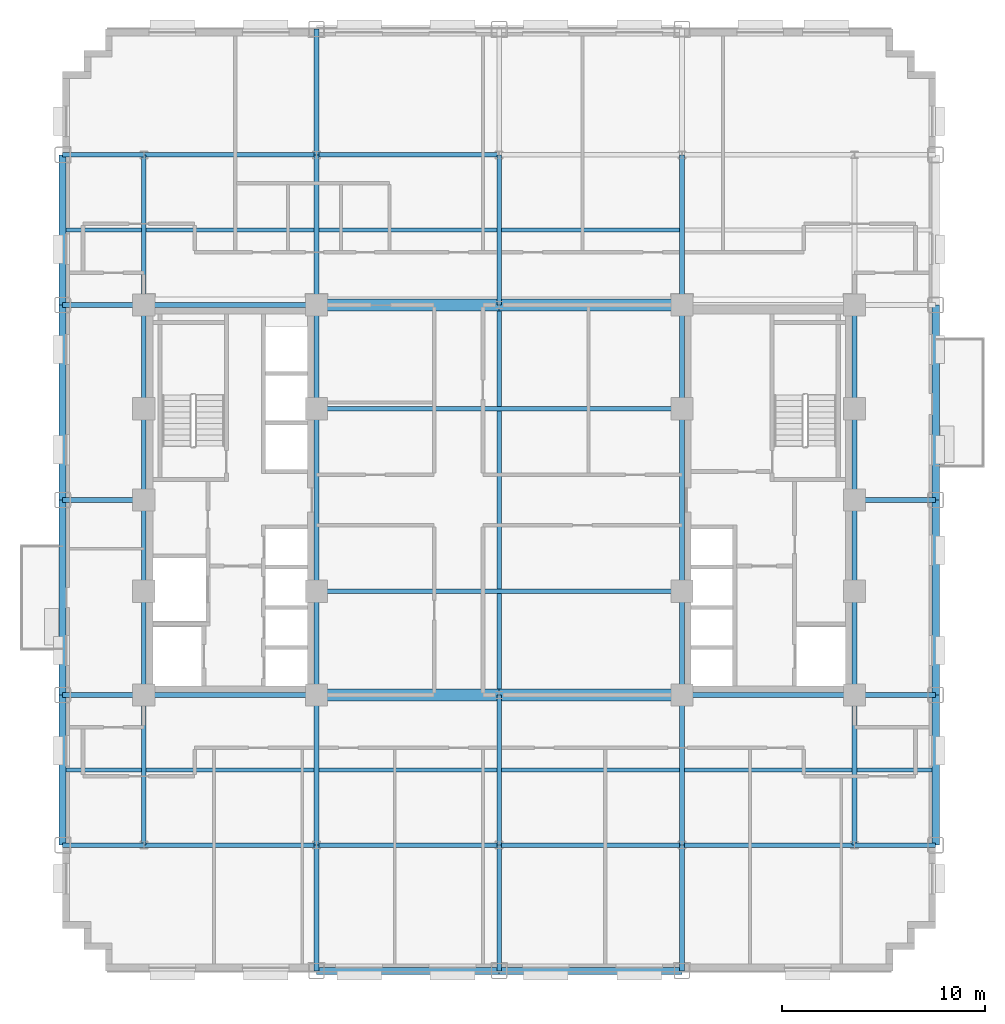
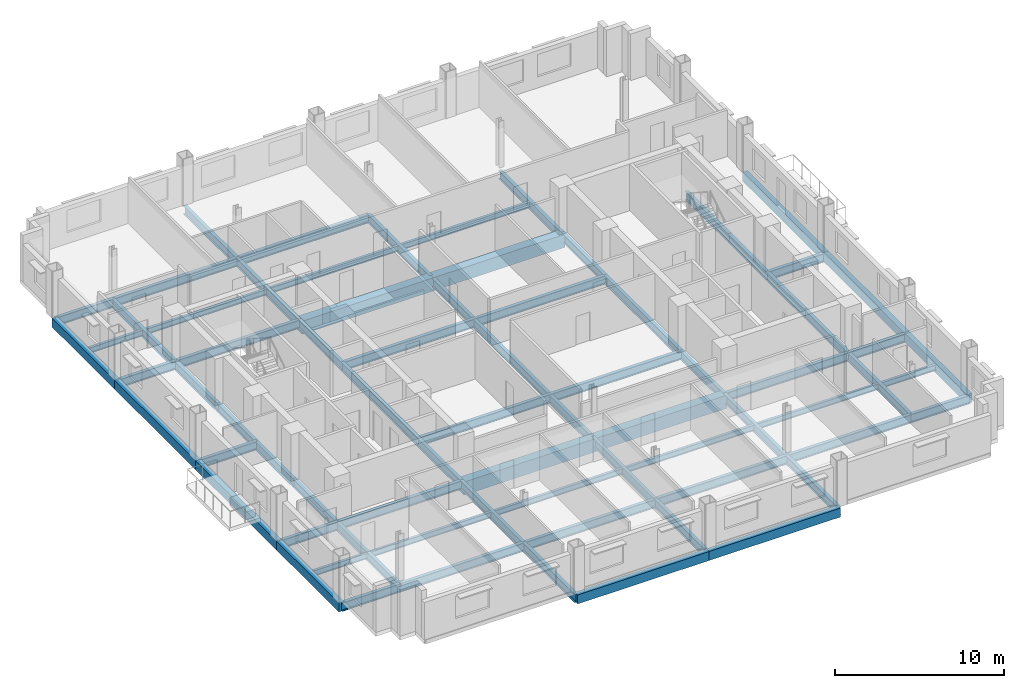
# One storey, part 4 of 14: 70 beams.
"""IFC4 building model written with IfcOpenShell, lengths in metres."""

from ifc_helpers import new_model, si_unit, direction, frame, origin, origin_2d, place, context, subcontext, project, spatial, rectangle, i_section, extrude, material, material_profile, profile_set, type_object, element, save


model = new_model("IFC4")

# Units and contexts
model_context = context("Model", 3, precision=1e-05, world=origin(), true_north=direction((0.0, 1.0)))
body_context = subcontext(model_context, "Body", "Model", "MODEL_VIEW")
ifc_project = project(units=[si_unit("LENGTHUNIT", "METRE"), si_unit("AREAUNIT", "SQUARE_METRE"), si_unit("VOLUMEUNIT", "CUBIC_METRE"), si_unit("PLANEANGLEUNIT", "RADIAN"), si_unit("MASSUNIT", "GRAM", prefix="KILO")], contexts=[model_context])

# Site, building, storey
site_placement = place(None, origin())
site = spatial("IfcSite", under=ifc_project, at=site_placement, CompositionType="ELEMENT")
building_placement = place(site_placement, origin())
building = spatial("IfcBuilding", under=site, at=building_placement, Name="Nuvemarco Arch Tower", CompositionType="ELEMENT")
storey_placement = place(building_placement, frame((0.0, 0.0, 75.050048828125)))
storey = spatial("IfcBuildingStorey", under=building, at=storey_placement, Name="L19", CompositionType="ELEMENT", Elevation=75.050048828125)

# Beams
ifc_material_1 = material(Name="Concrete C60/75", Category="concrete")
ifc_material_profile_1 = material_profile(ifc_material_1, rectangle(XDim=0.60009765625, YDim=0.949951171875, at=origin_2d()), Name="RC-BM-600x950")
ifc_profile_set_1 = profile_set([ifc_material_profile_1], Name="Concrete C60/75")
beam_type_1 = type_object("IfcBeamType", Name="BM-COUP-RC", PredefinedType="LINTEL", material=ifc_profile_set_1)
for number, where, z_axis, x_axis, name in (
    (1, (-9.0, -9.60009765625, -0.755126953125), (1.0, 0.0, 0.0), (0.0, 1.0, 0.0), "L19 structural beam BGEW_L19_0_-9.6_-9.0"),
    (2, (0.0, -9.60009765625, -0.755126953125), (1.0, 0.0, 0.0), (0.0, 1.0, 0.0), "L19 structural beam BGEW_L19_0_-9.6_+0.0"),
    (3, (-9.0, 9.60009765625, -0.755126953125), (1.0, 0.0, 0.0), (0.0, 1.0, 0.0), "L19 structural beam BGEW_L19_0_+9.6_-9.0"),
    (4, (0.0, 9.60009765625, -0.755126953125), (1.0, 0.0, 0.0), (0.0, 1.0, 0.0), "L19 structural beam BGEW_L19_0_+9.6_+0.0"),
):
    element("IfcBeam", number, at=place(storey_placement, frame(where, z_axis=z_axis, x_axis=x_axis)), inside=storey, type_object=beam_type_1, Name=name, PredefinedType="LINTEL", context=body_context, shape_type="SweptSolid", body=[
        extrude(rectangle(XDim=0.60009765625, YDim=0.949951171875, at=origin_2d()), origin(), (0.0, 0.0, 1.0), 9.0),
    ])
ifc_material_2 = material(Name="Steel S355", Category="steel")
ifc_material_profile_2 = material_profile(ifc_material_2, i_section(OverallWidth=0.22998046875, OverallDepth=0.616943359375, WebThickness=0.01318359375, FlangeThickness=0.022216796875, FilletRadius=0.01611328125, at=origin_2d()), Name="W610x140")
ifc_profile_set_2 = profile_set([ifc_material_profile_2], Name="Steel S355")
beam_type_2 = type_object("IfcBeamType", Name="BM-GIRD-610", PredefinedType="BEAM", material=ifc_profile_set_2)
beam_1_placement = place(storey_placement, frame((-17.5, -17.0, -0.588623046875), z_axis=(0.0, 1.0, 0.0), x_axis=(-1.0, 0.0, 0.0)))
element("IfcBeam", 5, at=beam_1_placement, inside=storey, type_object=beam_type_2, Name="L19 structural beam BGNS_L19_0_-17.5_-17.0", PredefinedType="BEAM", context=body_context, shape_type="SweptSolid", body=[
    extrude(i_section(OverallWidth=0.22998046875, OverallDepth=0.616943359375, WebThickness=0.01318359375, FlangeThickness=0.022216796875, FilletRadius=0.01611328125, at=origin_2d()), origin(), (0.0, 0.0, 1.0), 7.39990234375),
])
beam_2_placement = place(storey_placement, frame((-17.5, -9.60009765625, -0.588623046875), z_axis=(0.0, 1.0, 0.0), x_axis=(-1.0, 0.0, 0.0)))
element("IfcBeam", 6, at=beam_2_placement, inside=storey, type_object=beam_type_2, Name="L19 structural beam BGNS_L19_0_-17.5_-9.6", PredefinedType="BEAM", context=body_context, shape_type="SweptSolid", body=[
    extrude(i_section(OverallWidth=0.22998046875, OverallDepth=0.616943359375, WebThickness=0.01318359375, FlangeThickness=0.022216796875, FilletRadius=0.01611328125, at=origin_2d()), origin(), (0.0, 0.0, 1.0), 5.10009765625),
])
for number, where, z_axis, x_axis, name in (
    (7, (-17.5, -4.5, -0.588623046875), (0.0, 1.0, 0.0), (-1.0, 0.0, 0.0), "L19 structural beam BGNS_L19_0_-17.5_-4.5"),
    (8, (-17.5, 0.0, -0.588623046875), (0.0, 1.0, 0.0), (-1.0, 0.0, 0.0), "L19 structural beam BGNS_L19_0_-17.5_+0.0"),
):
    element("IfcBeam", number, at=place(storey_placement, frame(where, z_axis=z_axis, x_axis=x_axis)), inside=storey, type_object=beam_type_2, Name=name, PredefinedType="BEAM", context=body_context, shape_type="SweptSolid", body=[
        extrude(i_section(OverallWidth=0.22998046875, OverallDepth=0.616943359375, WebThickness=0.01318359375, FlangeThickness=0.022216796875, FilletRadius=0.01611328125, at=origin_2d()), origin(), (0.0, 0.0, 1.0), 4.5),
    ])
beam_3_placement = place(storey_placement, frame((-17.5, 4.5, -0.588623046875), z_axis=(0.0, 1.0, 0.0), x_axis=(-1.0, 0.0, 0.0)))
element("IfcBeam", 9, at=beam_3_placement, inside=storey, type_object=beam_type_2, Name="L19 structural beam BGNS_L19_0_-17.5_+4.5", PredefinedType="BEAM", context=body_context, shape_type="SweptSolid", body=[
    extrude(i_section(OverallWidth=0.22998046875, OverallDepth=0.616943359375, WebThickness=0.01318359375, FlangeThickness=0.022216796875, FilletRadius=0.01611328125, at=origin_2d()), origin(), (0.0, 0.0, 1.0), 5.10009765625),
])
beam_4_placement = place(storey_placement, frame((-17.5, 9.60009765625, -0.588623046875), z_axis=(0.0, 1.0, 0.0), x_axis=(-1.0, 0.0, 0.0)))
element("IfcBeam", 10, at=beam_4_placement, inside=storey, type_object=beam_type_2, Name="L19 structural beam BGNS_L19_0_-17.5_+9.6", PredefinedType="BEAM", context=body_context, shape_type="SweptSolid", body=[
    extrude(i_section(OverallWidth=0.22998046875, OverallDepth=0.616943359375, WebThickness=0.01318359375, FlangeThickness=0.022216796875, FilletRadius=0.01611328125, at=origin_2d()), origin(), (0.0, 0.0, 1.0), 7.39990234375),
])
beam_5_placement = place(storey_placement, frame((-9.0, -23.199951171875, -0.588623046875), z_axis=(0.0, 1.0, 0.0), x_axis=(-1.0, 0.0, 0.0)))
element("IfcBeam", 11, at=beam_5_placement, inside=storey, type_object=beam_type_2, Name="L19 structural beam BGNS_L19_0_-9.0_-23.2", PredefinedType="BEAM", context=body_context, shape_type="SweptSolid", body=[
    extrude(i_section(OverallWidth=0.22998046875, OverallDepth=0.616943359375, WebThickness=0.01318359375, FlangeThickness=0.022216796875, FilletRadius=0.01611328125, at=origin_2d()), origin(), (0.0, 0.0, 1.0), 6.199951171875),
])
beam_6_placement = place(storey_placement, frame((-9.0, -17.0, -0.588623046875), z_axis=(0.0, 1.0, 0.0), x_axis=(-1.0, 0.0, 0.0)))
element("IfcBeam", 12, at=beam_6_placement, inside=storey, type_object=beam_type_2, Name="L19 structural beam BGNS_L19_0_-9.0_-17.0", PredefinedType="BEAM", context=body_context, shape_type="SweptSolid", body=[
    extrude(i_section(OverallWidth=0.22998046875, OverallDepth=0.616943359375, WebThickness=0.01318359375, FlangeThickness=0.022216796875, FilletRadius=0.01611328125, at=origin_2d()), origin(), (0.0, 0.0, 1.0), 7.39990234375),
])
beam_7_placement = place(storey_placement, frame((-9.0, -9.60009765625, -0.588623046875), z_axis=(0.0, 1.0, 0.0), x_axis=(-1.0, 0.0, 0.0)))
element("IfcBeam", 13, at=beam_7_placement, inside=storey, type_object=beam_type_2, Name="L19 structural beam BGNS_L19_0_-9.0_-9.6", PredefinedType="BEAM", context=body_context, shape_type="SweptSolid", body=[
    extrude(i_section(OverallWidth=0.22998046875, OverallDepth=0.616943359375, WebThickness=0.01318359375, FlangeThickness=0.022216796875, FilletRadius=0.01611328125, at=origin_2d()), origin(), (0.0, 0.0, 1.0), 5.10009765625),
])
beam_8_placement = place(storey_placement, frame((-9.0, -4.5, -0.588623046875), z_axis=(0.0, 1.0, 0.0), x_axis=(-1.0, 0.0, 0.0)))
element("IfcBeam", 14, at=beam_8_placement, inside=storey, type_object=beam_type_2, Name="L19 structural beam BGNS_L19_0_-9.0_-4.5", PredefinedType="BEAM", context=body_context, shape_type="SweptSolid", body=[
    extrude(i_section(OverallWidth=0.22998046875, OverallDepth=0.616943359375, WebThickness=0.01318359375, FlangeThickness=0.022216796875, FilletRadius=0.01611328125, at=origin_2d()), origin(), (0.0, 0.0, 1.0), 9.0),
])
beam_9_placement = place(storey_placement, frame((-9.0, 4.5, -0.588623046875), z_axis=(0.0, 1.0, 0.0), x_axis=(-1.0, 0.0, 0.0)))
element("IfcBeam", 15, at=beam_9_placement, inside=storey, type_object=beam_type_2, Name="L19 structural beam BGNS_L19_0_-9.0_+4.5", PredefinedType="BEAM", context=body_context, shape_type="SweptSolid", body=[
    extrude(i_section(OverallWidth=0.22998046875, OverallDepth=0.616943359375, WebThickness=0.01318359375, FlangeThickness=0.022216796875, FilletRadius=0.01611328125, at=origin_2d()), origin(), (0.0, 0.0, 1.0), 5.10009765625),
])
beam_10_placement = place(storey_placement, frame((-9.0, 9.60009765625, -0.588623046875), z_axis=(0.0, 1.0, 0.0), x_axis=(-1.0, 0.0, 0.0)))
element("IfcBeam", 16, at=beam_10_placement, inside=storey, type_object=beam_type_2, Name="L19 structural beam BGNS_L19_0_-9.0_+9.6", PredefinedType="BEAM", context=body_context, shape_type="SweptSolid", body=[
    extrude(i_section(OverallWidth=0.22998046875, OverallDepth=0.616943359375, WebThickness=0.01318359375, FlangeThickness=0.022216796875, FilletRadius=0.01611328125, at=origin_2d()), origin(), (0.0, 0.0, 1.0), 7.39990234375),
])
for number, where, z_axis, x_axis, name in (
    (17, (-9.0, 17.0, -0.588623046875), (0.0, 1.0, 0.0), (-1.0, 0.0, 0.0), "L19 structural beam BGNS_L19_0_-9.0_+17.0"),
    (18, (0.0, -23.199951171875, -0.588623046875), (0.0, 1.0, 0.0), (-1.0, 0.0, 0.0), "L19 structural beam BGNS_L19_0_+0.0_-23.2"),
):
    element("IfcBeam", number, at=place(storey_placement, frame(where, z_axis=z_axis, x_axis=x_axis)), inside=storey, type_object=beam_type_2, Name=name, PredefinedType="BEAM", context=body_context, shape_type="SweptSolid", body=[
        extrude(i_section(OverallWidth=0.22998046875, OverallDepth=0.616943359375, WebThickness=0.01318359375, FlangeThickness=0.022216796875, FilletRadius=0.01611328125, at=origin_2d()), origin(), (0.0, 0.0, 1.0), 6.199951171875),
    ])
beam_11_placement = place(storey_placement, frame((0.0, -17.0, -0.588623046875), z_axis=(0.0, 1.0, 0.0), x_axis=(-1.0, 0.0, 0.0)))
element("IfcBeam", 19, at=beam_11_placement, inside=storey, type_object=beam_type_2, Name="L19 structural beam BGNS_L19_0_+0.0_-17.0", PredefinedType="BEAM", context=body_context, shape_type="SweptSolid", body=[
    extrude(i_section(OverallWidth=0.22998046875, OverallDepth=0.616943359375, WebThickness=0.01318359375, FlangeThickness=0.022216796875, FilletRadius=0.01611328125, at=origin_2d()), origin(), (0.0, 0.0, 1.0), 7.39990234375),
])
beam_12_placement = place(storey_placement, frame((0.0, -9.60009765625, -0.588623046875), z_axis=(0.0, 1.0, 0.0), x_axis=(-1.0, 0.0, 0.0)))
element("IfcBeam", 20, at=beam_12_placement, inside=storey, type_object=beam_type_2, Name="L19 structural beam BGNS_L19_0_+0.0_-9.6", PredefinedType="BEAM", context=body_context, shape_type="SweptSolid", body=[
    extrude(i_section(OverallWidth=0.22998046875, OverallDepth=0.616943359375, WebThickness=0.01318359375, FlangeThickness=0.022216796875, FilletRadius=0.01611328125, at=origin_2d()), origin(), (0.0, 0.0, 1.0), 19.2001953125),
])
beam_13_placement = place(storey_placement, frame((0.0, 9.60009765625, -0.588623046875), z_axis=(0.0, 1.0, 0.0), x_axis=(-1.0, 0.0, 0.0)))
element("IfcBeam", 21, at=beam_13_placement, inside=storey, type_object=beam_type_2, Name="L19 structural beam BGNS_L19_0_+0.0_+9.6", PredefinedType="BEAM", context=body_context, shape_type="SweptSolid", body=[
    extrude(i_section(OverallWidth=0.22998046875, OverallDepth=0.616943359375, WebThickness=0.01318359375, FlangeThickness=0.022216796875, FilletRadius=0.01611328125, at=origin_2d()), origin(), (0.0, 0.0, 1.0), 7.39990234375),
])
beam_14_placement = place(storey_placement, frame((9.0, -23.199951171875, -0.588623046875), z_axis=(0.0, 1.0, 0.0), x_axis=(-1.0, 0.0, 0.0)))
element("IfcBeam", 22, at=beam_14_placement, inside=storey, type_object=beam_type_2, Name="L19 structural beam BGNS_L19_0_+9.0_-23.2", PredefinedType="BEAM", context=body_context, shape_type="SweptSolid", body=[
    extrude(i_section(OverallWidth=0.22998046875, OverallDepth=0.616943359375, WebThickness=0.01318359375, FlangeThickness=0.022216796875, FilletRadius=0.01611328125, at=origin_2d()), origin(), (0.0, 0.0, 1.0), 6.199951171875),
])
beam_15_placement = place(storey_placement, frame((9.0, -17.0, -0.588623046875), z_axis=(0.0, 1.0, 0.0), x_axis=(-1.0, 0.0, 0.0)))
element("IfcBeam", 23, at=beam_15_placement, inside=storey, type_object=beam_type_2, Name="L19 structural beam BGNS_L19_0_+9.0_-17.0", PredefinedType="BEAM", context=body_context, shape_type="SweptSolid", body=[
    extrude(i_section(OverallWidth=0.22998046875, OverallDepth=0.616943359375, WebThickness=0.01318359375, FlangeThickness=0.022216796875, FilletRadius=0.01611328125, at=origin_2d()), origin(), (0.0, 0.0, 1.0), 7.39990234375),
])
beam_16_placement = place(storey_placement, frame((9.0, -9.60009765625, -0.588623046875), z_axis=(0.0, 1.0, 0.0), x_axis=(-1.0, 0.0, 0.0)))
element("IfcBeam", 24, at=beam_16_placement, inside=storey, type_object=beam_type_2, Name="L19 structural beam BGNS_L19_0_+9.0_-9.6", PredefinedType="BEAM", context=body_context, shape_type="SweptSolid", body=[
    extrude(i_section(OverallWidth=0.22998046875, OverallDepth=0.616943359375, WebThickness=0.01318359375, FlangeThickness=0.022216796875, FilletRadius=0.01611328125, at=origin_2d()), origin(), (0.0, 0.0, 1.0), 5.10009765625),
])
beam_17_placement = place(storey_placement, frame((9.0, -4.5, -0.588623046875), z_axis=(0.0, 1.0, 0.0), x_axis=(-1.0, 0.0, 0.0)))
element("IfcBeam", 25, at=beam_17_placement, inside=storey, type_object=beam_type_2, Name="L19 structural beam BGNS_L19_0_+9.0_-4.5", PredefinedType="BEAM", context=body_context, shape_type="SweptSolid", body=[
    extrude(i_section(OverallWidth=0.22998046875, OverallDepth=0.616943359375, WebThickness=0.01318359375, FlangeThickness=0.022216796875, FilletRadius=0.01611328125, at=origin_2d()), origin(), (0.0, 0.0, 1.0), 9.0),
])
beam_18_placement = place(storey_placement, frame((9.0, 4.5, -0.588623046875), z_axis=(0.0, 1.0, 0.0), x_axis=(-1.0, 0.0, 0.0)))
element("IfcBeam", 26, at=beam_18_placement, inside=storey, type_object=beam_type_2, Name="L19 structural beam BGNS_L19_0_+9.0_+4.5", PredefinedType="BEAM", context=body_context, shape_type="SweptSolid", body=[
    extrude(i_section(OverallWidth=0.22998046875, OverallDepth=0.616943359375, WebThickness=0.01318359375, FlangeThickness=0.022216796875, FilletRadius=0.01611328125, at=origin_2d()), origin(), (0.0, 0.0, 1.0), 5.10009765625),
])
for number, where, z_axis, x_axis, name in (
    (27, (9.0, 9.60009765625, -0.588623046875), (0.0, 1.0, 0.0), (-1.0, 0.0, 0.0), "L19 structural beam BGNS_L19_0_+9.0_+9.6"),
    (28, (17.5, -17.0, -0.588623046875), (0.0, 1.0, 0.0), (-1.0, 0.0, 0.0), "L19 structural beam BGNS_L19_0_+17.5_-17.0"),
):
    element("IfcBeam", number, at=place(storey_placement, frame(where, z_axis=z_axis, x_axis=x_axis)), inside=storey, type_object=beam_type_2, Name=name, PredefinedType="BEAM", context=body_context, shape_type="SweptSolid", body=[
        extrude(i_section(OverallWidth=0.22998046875, OverallDepth=0.616943359375, WebThickness=0.01318359375, FlangeThickness=0.022216796875, FilletRadius=0.01611328125, at=origin_2d()), origin(), (0.0, 0.0, 1.0), 7.39990234375),
    ])
beam_19_placement = place(storey_placement, frame((17.5, -9.60009765625, -0.588623046875), z_axis=(0.0, 1.0, 0.0), x_axis=(-1.0, 0.0, 0.0)))
element("IfcBeam", 29, at=beam_19_placement, inside=storey, type_object=beam_type_2, Name="L19 structural beam BGNS_L19_0_+17.5_-9.6", PredefinedType="BEAM", context=body_context, shape_type="SweptSolid", body=[
    extrude(i_section(OverallWidth=0.22998046875, OverallDepth=0.616943359375, WebThickness=0.01318359375, FlangeThickness=0.022216796875, FilletRadius=0.01611328125, at=origin_2d()), origin(), (0.0, 0.0, 1.0), 5.10009765625),
])
for number, where, z_axis, x_axis, name in (
    (30, (17.5, -4.5, -0.588623046875), (0.0, 1.0, 0.0), (-1.0, 0.0, 0.0), "L19 structural beam BGNS_L19_0_+17.5_-4.5"),
    (31, (17.5, 0.0, -0.588623046875), (0.0, 1.0, 0.0), (-1.0, 0.0, 0.0), "L19 structural beam BGNS_L19_0_+17.5_+0.0"),
):
    element("IfcBeam", number, at=place(storey_placement, frame(where, z_axis=z_axis, x_axis=x_axis)), inside=storey, type_object=beam_type_2, Name=name, PredefinedType="BEAM", context=body_context, shape_type="SweptSolid", body=[
        extrude(i_section(OverallWidth=0.22998046875, OverallDepth=0.616943359375, WebThickness=0.01318359375, FlangeThickness=0.022216796875, FilletRadius=0.01611328125, at=origin_2d()), origin(), (0.0, 0.0, 1.0), 4.5),
    ])
beam_20_placement = place(storey_placement, frame((17.5, 4.5, -0.588623046875), z_axis=(0.0, 1.0, 0.0), x_axis=(-1.0, 0.0, 0.0)))
element("IfcBeam", 32, at=beam_20_placement, inside=storey, type_object=beam_type_2, Name="L19 structural beam BGNS_L19_0_+17.5_+4.5", PredefinedType="BEAM", context=body_context, shape_type="SweptSolid", body=[
    extrude(i_section(OverallWidth=0.22998046875, OverallDepth=0.616943359375, WebThickness=0.01318359375, FlangeThickness=0.022216796875, FilletRadius=0.01611328125, at=origin_2d()), origin(), (0.0, 0.0, 1.0), 5.10009765625),
])
beam_21_placement = place(storey_placement, frame((-21.5, -17.0, -0.588623046875), z_axis=(1.0, 0.0, 0.0), x_axis=(0.0, 1.0, 0.0)))
element("IfcBeam", 33, at=beam_21_placement, inside=storey, type_object=beam_type_2, Name="L19 structural beam BGEW_L19_0_-17.0_-21.5", PredefinedType="BEAM", context=body_context, shape_type="SweptSolid", body=[
    extrude(i_section(OverallWidth=0.22998046875, OverallDepth=0.616943359375, WebThickness=0.01318359375, FlangeThickness=0.022216796875, FilletRadius=0.01611328125, at=origin_2d()), origin(), (0.0, 0.0, 1.0), 4.0),
])
beam_22_placement = place(storey_placement, frame((-17.5, -17.0, -0.588623046875), z_axis=(1.0, 0.0, 0.0), x_axis=(0.0, 1.0, 0.0)))
element("IfcBeam", 34, at=beam_22_placement, inside=storey, type_object=beam_type_2, Name="L19 structural beam BGEW_L19_0_-17.0_-17.5", PredefinedType="BEAM", context=body_context, shape_type="SweptSolid", body=[
    extrude(i_section(OverallWidth=0.22998046875, OverallDepth=0.616943359375, WebThickness=0.01318359375, FlangeThickness=0.022216796875, FilletRadius=0.01611328125, at=origin_2d()), origin(), (0.0, 0.0, 1.0), 8.5),
])
for number, where, z_axis, x_axis, name in (
    (35, (-9.0, -17.0, -0.588623046875), (1.0, 0.0, 0.0), (0.0, 1.0, 0.0), "L19 structural beam BGEW_L19_0_-17.0_-9.0"),
    (36, (0.0, -17.0, -0.588623046875), (1.0, 0.0, 0.0), (0.0, 1.0, 0.0), "L19 structural beam BGEW_L19_0_-17.0_+0.0"),
):
    element("IfcBeam", number, at=place(storey_placement, frame(where, z_axis=z_axis, x_axis=x_axis)), inside=storey, type_object=beam_type_2, Name=name, PredefinedType="BEAM", context=body_context, shape_type="SweptSolid", body=[
        extrude(i_section(OverallWidth=0.22998046875, OverallDepth=0.616943359375, WebThickness=0.01318359375, FlangeThickness=0.022216796875, FilletRadius=0.01611328125, at=origin_2d()), origin(), (0.0, 0.0, 1.0), 9.0),
    ])
beam_23_placement = place(storey_placement, frame((9.0, -17.0, -0.588623046875), z_axis=(1.0, 0.0, 0.0), x_axis=(0.0, 1.0, 0.0)))
element("IfcBeam", 37, at=beam_23_placement, inside=storey, type_object=beam_type_2, Name="L19 structural beam BGEW_L19_0_-17.0_+9.0", PredefinedType="BEAM", context=body_context, shape_type="SweptSolid", body=[
    extrude(i_section(OverallWidth=0.22998046875, OverallDepth=0.616943359375, WebThickness=0.01318359375, FlangeThickness=0.022216796875, FilletRadius=0.01611328125, at=origin_2d()), origin(), (0.0, 0.0, 1.0), 8.5),
])
for number, where, z_axis, x_axis, name in (
    (38, (17.5, -17.0, -0.588623046875), (1.0, 0.0, 0.0), (0.0, 1.0, 0.0), "L19 structural beam BGEW_L19_0_-17.0_+17.5"),
    (39, (-21.5, -9.60009765625, -0.588623046875), (1.0, 0.0, 0.0), (0.0, 1.0, 0.0), "L19 structural beam BGEW_L19_0_-9.6_-21.5"),
):
    element("IfcBeam", number, at=place(storey_placement, frame(where, z_axis=z_axis, x_axis=x_axis)), inside=storey, type_object=beam_type_2, Name=name, PredefinedType="BEAM", context=body_context, shape_type="SweptSolid", body=[
        extrude(i_section(OverallWidth=0.22998046875, OverallDepth=0.616943359375, WebThickness=0.01318359375, FlangeThickness=0.022216796875, FilletRadius=0.01611328125, at=origin_2d()), origin(), (0.0, 0.0, 1.0), 4.0),
    ])
for number, where, z_axis, x_axis, name in (
    (40, (-17.5, -9.60009765625, -0.588623046875), (1.0, 0.0, 0.0), (0.0, 1.0, 0.0), "L19 structural beam BGEW_L19_0_-9.6_-17.5"),
    (41, (9.0, -9.60009765625, -0.588623046875), (1.0, 0.0, 0.0), (0.0, 1.0, 0.0), "L19 structural beam BGEW_L19_0_-9.6_+9.0"),
):
    element("IfcBeam", number, at=place(storey_placement, frame(where, z_axis=z_axis, x_axis=x_axis)), inside=storey, type_object=beam_type_2, Name=name, PredefinedType="BEAM", context=body_context, shape_type="SweptSolid", body=[
        extrude(i_section(OverallWidth=0.22998046875, OverallDepth=0.616943359375, WebThickness=0.01318359375, FlangeThickness=0.022216796875, FilletRadius=0.01611328125, at=origin_2d()), origin(), (0.0, 0.0, 1.0), 8.5),
    ])
beam_24_placement = place(storey_placement, frame((17.5, -9.60009765625, -0.588623046875), z_axis=(1.0, 0.0, 0.0), x_axis=(0.0, 1.0, 0.0)))
element("IfcBeam", 42, at=beam_24_placement, inside=storey, type_object=beam_type_2, Name="L19 structural beam BGEW_L19_0_-9.6_+17.5", PredefinedType="BEAM", context=body_context, shape_type="SweptSolid", body=[
    extrude(i_section(OverallWidth=0.22998046875, OverallDepth=0.616943359375, WebThickness=0.01318359375, FlangeThickness=0.022216796875, FilletRadius=0.01611328125, at=origin_2d()), origin(), (0.0, 0.0, 1.0), 4.0),
])
beam_25_placement = place(storey_placement, frame((-9.0, -4.5, -0.588623046875), z_axis=(1.0, 0.0, 0.0), x_axis=(0.0, 1.0, 0.0)))
element("IfcBeam", 43, at=beam_25_placement, inside=storey, type_object=beam_type_2, Name="L19 structural beam BGEW_L19_0_-4.5_-9.0", PredefinedType="BEAM", context=body_context, shape_type="SweptSolid", body=[
    extrude(i_section(OverallWidth=0.22998046875, OverallDepth=0.616943359375, WebThickness=0.01318359375, FlangeThickness=0.022216796875, FilletRadius=0.01611328125, at=origin_2d()), origin(), (0.0, 0.0, 1.0), 18.0),
])
for number, where, z_axis, x_axis, name in (
    (44, (-21.5, 0.0, -0.588623046875), (1.0, 0.0, 0.0), (0.0, 1.0, 0.0), "L19 structural beam BGEW_L19_0_+0.0_-21.5"),
    (45, (17.5, 0.0, -0.588623046875), (1.0, 0.0, 0.0), (0.0, 1.0, 0.0), "L19 structural beam BGEW_L19_0_+0.0_+17.5"),
):
    element("IfcBeam", number, at=place(storey_placement, frame(where, z_axis=z_axis, x_axis=x_axis)), inside=storey, type_object=beam_type_2, Name=name, PredefinedType="BEAM", context=body_context, shape_type="SweptSolid", body=[
        extrude(i_section(OverallWidth=0.22998046875, OverallDepth=0.616943359375, WebThickness=0.01318359375, FlangeThickness=0.022216796875, FilletRadius=0.01611328125, at=origin_2d()), origin(), (0.0, 0.0, 1.0), 4.0),
    ])
beam_26_placement = place(storey_placement, frame((-9.0, 4.5, -0.588623046875), z_axis=(1.0, 0.0, 0.0), x_axis=(0.0, 1.0, 0.0)))
element("IfcBeam", 46, at=beam_26_placement, inside=storey, type_object=beam_type_2, Name="L19 structural beam BGEW_L19_0_+4.5_-9.0", PredefinedType="BEAM", context=body_context, shape_type="SweptSolid", body=[
    extrude(i_section(OverallWidth=0.22998046875, OverallDepth=0.616943359375, WebThickness=0.01318359375, FlangeThickness=0.022216796875, FilletRadius=0.01611328125, at=origin_2d()), origin(), (0.0, 0.0, 1.0), 18.0),
])
beam_27_placement = place(storey_placement, frame((-21.5, 9.60009765625, -0.588623046875), z_axis=(1.0, 0.0, 0.0), x_axis=(0.0, 1.0, 0.0)))
element("IfcBeam", 47, at=beam_27_placement, inside=storey, type_object=beam_type_2, Name="L19 structural beam BGEW_L19_0_+9.6_-21.5", PredefinedType="BEAM", context=body_context, shape_type="SweptSolid", body=[
    extrude(i_section(OverallWidth=0.22998046875, OverallDepth=0.616943359375, WebThickness=0.01318359375, FlangeThickness=0.022216796875, FilletRadius=0.01611328125, at=origin_2d()), origin(), (0.0, 0.0, 1.0), 4.0),
])
beam_28_placement = place(storey_placement, frame((-17.5, 9.60009765625, -0.588623046875), z_axis=(1.0, 0.0, 0.0), x_axis=(0.0, 1.0, 0.0)))
element("IfcBeam", 48, at=beam_28_placement, inside=storey, type_object=beam_type_2, Name="L19 structural beam BGEW_L19_0_+9.6_-17.5", PredefinedType="BEAM", context=body_context, shape_type="SweptSolid", body=[
    extrude(i_section(OverallWidth=0.22998046875, OverallDepth=0.616943359375, WebThickness=0.01318359375, FlangeThickness=0.022216796875, FilletRadius=0.01611328125, at=origin_2d()), origin(), (0.0, 0.0, 1.0), 8.5),
])
beam_29_placement = place(storey_placement, frame((-21.5, 17.0, -0.588623046875), z_axis=(1.0, 0.0, 0.0), x_axis=(0.0, 1.0, 0.0)))
element("IfcBeam", 49, at=beam_29_placement, inside=storey, type_object=beam_type_2, Name="L19 structural beam BGEW_L19_0_+17.0_-21.5", PredefinedType="BEAM", context=body_context, shape_type="SweptSolid", body=[
    extrude(i_section(OverallWidth=0.22998046875, OverallDepth=0.616943359375, WebThickness=0.01318359375, FlangeThickness=0.022216796875, FilletRadius=0.01611328125, at=origin_2d()), origin(), (0.0, 0.0, 1.0), 4.0),
])
beam_30_placement = place(storey_placement, frame((-17.5, 17.0, -0.588623046875), z_axis=(1.0, 0.0, 0.0), x_axis=(0.0, 1.0, 0.0)))
element("IfcBeam", 50, at=beam_30_placement, inside=storey, type_object=beam_type_2, Name="L19 structural beam BGEW_L19_0_+17.0_-17.5", PredefinedType="BEAM", context=body_context, shape_type="SweptSolid", body=[
    extrude(i_section(OverallWidth=0.22998046875, OverallDepth=0.616943359375, WebThickness=0.01318359375, FlangeThickness=0.022216796875, FilletRadius=0.01611328125, at=origin_2d()), origin(), (0.0, 0.0, 1.0), 8.5),
])
beam_31_placement = place(storey_placement, frame((-9.0, 17.0, -0.588623046875), z_axis=(1.0, 0.0, 0.0), x_axis=(0.0, 1.0, 0.0)))
element("IfcBeam", 51, at=beam_31_placement, inside=storey, type_object=beam_type_2, Name="L19 structural beam BGEW_L19_0_+17.0_-9.0", PredefinedType="BEAM", context=body_context, shape_type="SweptSolid", body=[
    extrude(i_section(OverallWidth=0.22998046875, OverallDepth=0.616943359375, WebThickness=0.01318359375, FlangeThickness=0.022216796875, FilletRadius=0.01611328125, at=origin_2d()), origin(), (0.0, 0.0, 1.0), 9.0),
])
ifc_material_profile_3 = material_profile(ifc_material_2, i_section(OverallWidth=0.179931640625, OverallDepth=0.4130859375, WebThickness=0.009765625, FlangeThickness=0.01611328125, FilletRadius=0.014892578125, at=origin_2d()), Name="W410x75")
ifc_profile_set_3 = profile_set([ifc_material_profile_3], Name="Steel S355")
beam_type_3 = type_object("IfcBeamType", Name="BM-JOIST-410", PredefinedType="JOIST", material=ifc_profile_set_3)
beam_32_placement = place(storey_placement, frame((-21.324951171875, -13.300048828125, -0.486572265625), z_axis=(1.0, 0.0, 0.0), x_axis=(0.0, 1.0, 0.0)))
element("IfcBeam", 52, at=beam_32_placement, inside=storey, type_object=beam_type_3, Name="L19 structural beam BJ_L19_0_-13.3_-21.5", PredefinedType="JOIST", context=body_context, shape_type="SweptSolid", body=[
    extrude(i_section(OverallWidth=0.179931640625, OverallDepth=0.4130859375, WebThickness=0.009765625, FlangeThickness=0.01611328125, FilletRadius=0.014892578125, at=origin_2d()), origin(), (0.0, 0.0, 1.0), 3.7099609375),
])
beam_33_placement = place(storey_placement, frame((-17.385009765625, -13.300048828125, -0.486572265625), z_axis=(1.0, 0.0, 0.0), x_axis=(0.0, 1.0, 0.0)))
element("IfcBeam", 53, at=beam_33_placement, inside=storey, type_object=beam_type_3, Name="L19 structural beam BJ_L19_0_-13.3_-17.5", PredefinedType="JOIST", context=body_context, shape_type="SweptSolid", body=[
    extrude(i_section(OverallWidth=0.179931640625, OverallDepth=0.4130859375, WebThickness=0.009765625, FlangeThickness=0.01611328125, FilletRadius=0.014892578125, at=origin_2d()), origin(), (0.0, 0.0, 1.0), 8.27001953125),
])
for number, where, z_axis, x_axis, name in (
    (54, (-8.885009765625, -13.300048828125, -0.486572265625), (1.0, 0.0, 0.0), (0.0, 1.0, 0.0), "L19 structural beam BJ_L19_0_-13.3_-9.0"),
    (55, (0.114990234375, -13.300048828125, -0.486572265625), (1.0, 0.0, 0.0), (0.0, 1.0, 0.0), "L19 structural beam BJ_L19_0_-13.3_+0.0"),
):
    element("IfcBeam", number, at=place(storey_placement, frame(where, z_axis=z_axis, x_axis=x_axis)), inside=storey, type_object=beam_type_3, Name=name, PredefinedType="JOIST", context=body_context, shape_type="SweptSolid", body=[
        extrude(i_section(OverallWidth=0.179931640625, OverallDepth=0.4130859375, WebThickness=0.009765625, FlangeThickness=0.01611328125, FilletRadius=0.014892578125, at=origin_2d()), origin(), (0.0, 0.0, 1.0), 8.77001953125),
    ])
beam_34_placement = place(storey_placement, frame((9.114990234375, -13.300048828125, -0.486572265625), z_axis=(1.0, 0.0, 0.0), x_axis=(0.0, 1.0, 0.0)))
element("IfcBeam", 56, at=beam_34_placement, inside=storey, type_object=beam_type_3, Name="L19 structural beam BJ_L19_0_-13.3_+9.0", PredefinedType="JOIST", context=body_context, shape_type="SweptSolid", body=[
    extrude(i_section(OverallWidth=0.179931640625, OverallDepth=0.4130859375, WebThickness=0.009765625, FlangeThickness=0.01611328125, FilletRadius=0.014892578125, at=origin_2d()), origin(), (0.0, 0.0, 1.0), 8.27001953125),
])
for number, where, z_axis, x_axis, name in (
    (57, (17.614990234375, -13.300048828125, -0.486572265625), (1.0, 0.0, 0.0), (0.0, 1.0, 0.0), "L19 structural beam BJ_L19_0_-13.3_+17.5"),
    (58, (-21.324951171875, 13.300048828125, -0.486572265625), (1.0, 0.0, 0.0), (0.0, 1.0, 0.0), "L19 structural beam BJ_L19_0_+13.3_-21.5"),
):
    element("IfcBeam", number, at=place(storey_placement, frame(where, z_axis=z_axis, x_axis=x_axis)), inside=storey, type_object=beam_type_3, Name=name, PredefinedType="JOIST", context=body_context, shape_type="SweptSolid", body=[
        extrude(i_section(OverallWidth=0.179931640625, OverallDepth=0.4130859375, WebThickness=0.009765625, FlangeThickness=0.01611328125, FilletRadius=0.014892578125, at=origin_2d()), origin(), (0.0, 0.0, 1.0), 3.7099609375),
    ])
beam_35_placement = place(storey_placement, frame((-17.385009765625, 13.300048828125, -0.486572265625), z_axis=(1.0, 0.0, 0.0), x_axis=(0.0, 1.0, 0.0)))
element("IfcBeam", 59, at=beam_35_placement, inside=storey, type_object=beam_type_3, Name="L19 structural beam BJ_L19_0_+13.3_-17.5", PredefinedType="JOIST", context=body_context, shape_type="SweptSolid", body=[
    extrude(i_section(OverallWidth=0.179931640625, OverallDepth=0.4130859375, WebThickness=0.009765625, FlangeThickness=0.01611328125, FilletRadius=0.014892578125, at=origin_2d()), origin(), (0.0, 0.0, 1.0), 8.27001953125),
])
for number, where, z_axis, x_axis, name in (
    (60, (-8.885009765625, 13.300048828125, -0.486572265625), (1.0, 0.0, 0.0), (0.0, 1.0, 0.0), "L19 structural beam BJ_L19_0_+13.3_-9.0"),
    (61, (0.114990234375, 13.300048828125, -0.486572265625), (1.0, 0.0, 0.0), (0.0, 1.0, 0.0), "L19 structural beam BJ_L19_0_+13.3_+0.0"),
):
    element("IfcBeam", number, at=place(storey_placement, frame(where, z_axis=z_axis, x_axis=x_axis)), inside=storey, type_object=beam_type_3, Name=name, PredefinedType="JOIST", context=body_context, shape_type="SweptSolid", body=[
        extrude(i_section(OverallWidth=0.179931640625, OverallDepth=0.4130859375, WebThickness=0.009765625, FlangeThickness=0.01611328125, FilletRadius=0.014892578125, at=origin_2d()), origin(), (0.0, 0.0, 1.0), 8.77001953125),
    ])
ifc_material_3 = material(Name="Precast concrete C45/55", Category="concrete")
ifc_material_profile_4 = material_profile(ifc_material_3, rectangle(XDim=0.35009765625, YDim=0.64990234375, at=origin_2d()), Name="PC-SP-350x650")
ifc_profile_set_4 = profile_set([ifc_material_profile_4], Name="Precast concrete C45/55")
beam_type_4 = type_object("IfcBeamType", Name="BM-SPAN-RC", PredefinedType="SPANDREL", material=ifc_profile_set_4)
beam_36_placement = place(storey_placement, frame((-21.5, -17.0, -0.60498046875), z_axis=(0.0, 1.0, 0.0), x_axis=(-1.0, 0.0, 0.0)))
element("IfcBeam", 62, at=beam_36_placement, inside=storey, type_object=beam_type_4, Name="L19 structural beam BGNS_L19_0_-21.5_-17.0", PredefinedType="SPANDREL", context=body_context, shape_type="SweptSolid", body=[
    extrude(rectangle(XDim=0.35009765625, YDim=0.64990234375, at=origin_2d()), origin(), (0.0, 0.0, 1.0), 7.39990234375),
])
for number, where, z_axis, x_axis, name in (
    (63, (-21.5, -9.60009765625, -0.60498046875), (0.0, 1.0, 0.0), (-1.0, 0.0, 0.0), "L19 structural beam BGNS_L19_0_-21.5_-9.6"),
    (64, (-21.5, 0.0, -0.60498046875), (0.0, 1.0, 0.0), (-1.0, 0.0, 0.0), "L19 structural beam BGNS_L19_0_-21.5_+0.0"),
):
    element("IfcBeam", number, at=place(storey_placement, frame(where, z_axis=z_axis, x_axis=x_axis)), inside=storey, type_object=beam_type_4, Name=name, PredefinedType="SPANDREL", context=body_context, shape_type="SweptSolid", body=[
        extrude(rectangle(XDim=0.35009765625, YDim=0.64990234375, at=origin_2d()), origin(), (0.0, 0.0, 1.0), 9.60009765625),
    ])
for number, where, z_axis, x_axis, name in (
    (65, (-21.5, 9.60009765625, -0.60498046875), (0.0, 1.0, 0.0), (-1.0, 0.0, 0.0), "L19 structural beam BGNS_L19_0_-21.5_+9.6"),
    (66, (21.5, -17.0, -0.60498046875), (0.0, 1.0, 0.0), (-1.0, 0.0, 0.0), "L19 structural beam BGNS_L19_0_+21.5_-17.0"),
):
    element("IfcBeam", number, at=place(storey_placement, frame(where, z_axis=z_axis, x_axis=x_axis)), inside=storey, type_object=beam_type_4, Name=name, PredefinedType="SPANDREL", context=body_context, shape_type="SweptSolid", body=[
        extrude(rectangle(XDim=0.35009765625, YDim=0.64990234375, at=origin_2d()), origin(), (0.0, 0.0, 1.0), 7.39990234375),
    ])
for number, where, z_axis, x_axis, name in (
    (67, (21.5, -9.60009765625, -0.60498046875), (0.0, 1.0, 0.0), (-1.0, 0.0, 0.0), "L19 structural beam BGNS_L19_0_+21.5_-9.6"),
    (68, (21.5, 0.0, -0.60498046875), (0.0, 1.0, 0.0), (-1.0, 0.0, 0.0), "L19 structural beam BGNS_L19_0_+21.5_+0.0"),
):
    element("IfcBeam", number, at=place(storey_placement, frame(where, z_axis=z_axis, x_axis=x_axis)), inside=storey, type_object=beam_type_4, Name=name, PredefinedType="SPANDREL", context=body_context, shape_type="SweptSolid", body=[
        extrude(rectangle(XDim=0.35009765625, YDim=0.64990234375, at=origin_2d()), origin(), (0.0, 0.0, 1.0), 9.60009765625),
    ])
for number, where, z_axis, x_axis, name in (
    (69, (-9.0, -23.199951171875, -0.60498046875), (1.0, 0.0, 0.0), (0.0, 1.0, 0.0), "L19 structural beam BGEW_L19_0_-23.2_-9.0"),
    (70, (0.0, -23.199951171875, -0.60498046875), (1.0, 0.0, 0.0), (0.0, 1.0, 0.0), "L19 structural beam BGEW_L19_0_-23.2_+0.0"),
):
    element("IfcBeam", number, at=place(storey_placement, frame(where, z_axis=z_axis, x_axis=x_axis)), inside=storey, type_object=beam_type_4, Name=name, PredefinedType="SPANDREL", context=body_context, shape_type="SweptSolid", body=[
        extrude(rectangle(XDim=0.35009765625, YDim=0.64990234375, at=origin_2d()), origin(), (0.0, 0.0, 1.0), 9.0),
    ])

save(model, "model.ifc")
